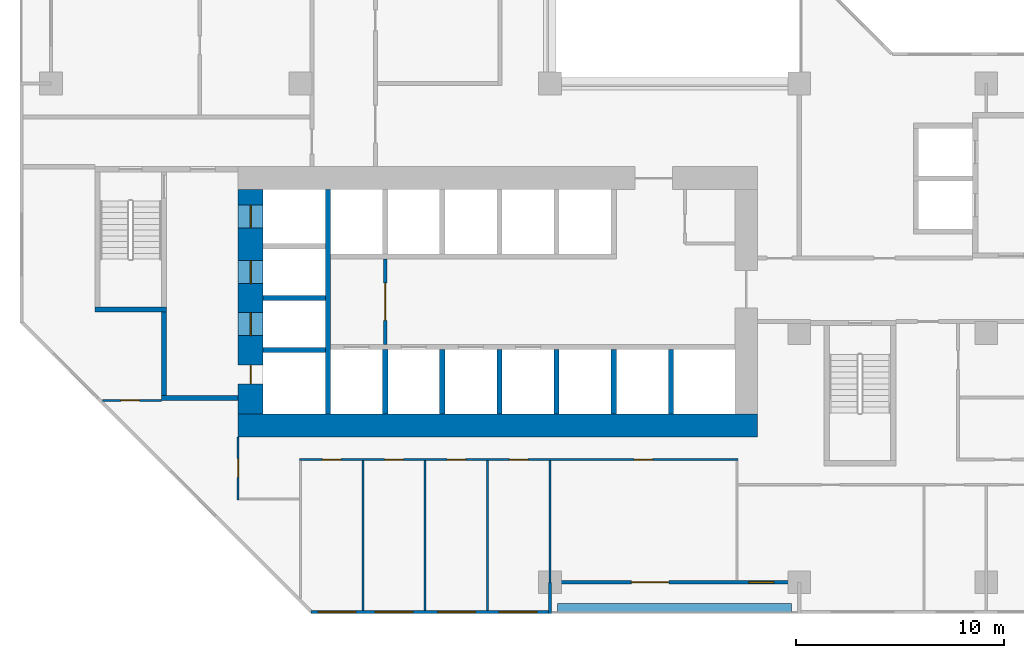
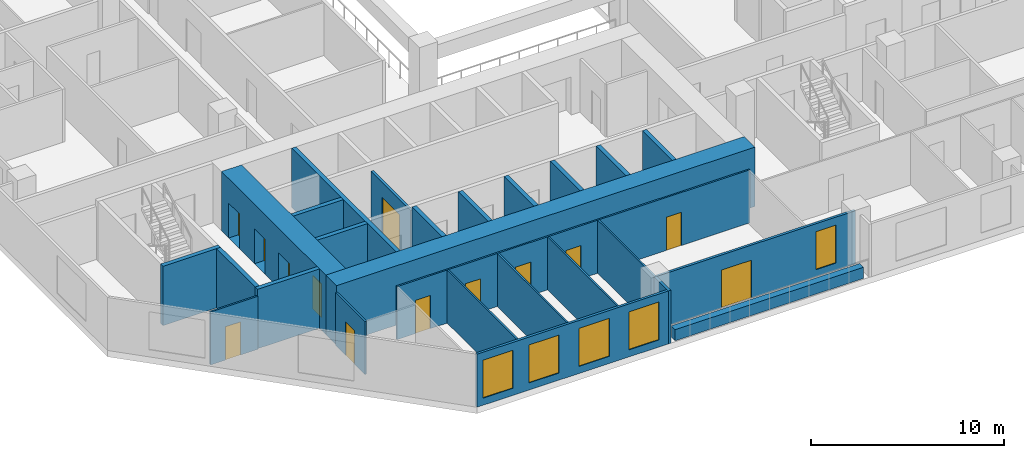
# One storey, part 4 of 15: 26 walls, 13 doors, 5 windows, 18 openings.
"""IFC4 building model written with IfcOpenShell, lengths in metres."""

import ifcopenshell
import ifcopenshell.guid

model = None  # the IFC model being written
_history = None  # IfcOwnerHistory: only IFC2X3 demands one
_inside = {}  # id of a spatial element -> (the spatial element, [elements in it])
_under = {}  # id of a project, library or spatial element -> (it, [spatial elements below it])
_declared = {}  # id of a project -> (the project, [libraries it declares])
_typed = {}  # id of a type object -> (the type object, [elements of that type])
_made_of = {}  # id of a material, layer set ... -> (it, [elements and type objects made of it])


def new_model(schema):
    """Start an empty IFC model of exactly this schema.

    Asked for "IFC4X3", IfcOpenShell would pick the latest addendum, in which some entities
    have other attributes; the version numbers below select the first issue.
    IFC2X3 requires an IfcOwnerHistory on every rooted entity: one is made here for all.
    """
    global model, _history
    if schema == "IFC4X3":
        model = ifcopenshell.file(schema_version=(4, 3, 0, 0))
    else:
        model = ifcopenshell.file(schema=schema)
    _inside.clear()
    _under.clear()
    _declared.clear()
    _typed.clear()
    _made_of.clear()
    _history = None
    if model.schema == "IFC2X3":
        org = make("IfcOrganization", Name="unknown")
        user = make(
            "IfcPersonAndOrganization",
            ThePerson=make("IfcPerson", FamilyName="unknown"),
            TheOrganization=org,
        )
        app = make(
            "IfcApplication",
            ApplicationDeveloper=org,
            Version="unknown",
            ApplicationFullName="unknown",
            ApplicationIdentifier="unknown",
        )
        _history = make(
            "IfcOwnerHistory",
            OwningUser=user,
            OwningApplication=app,
            ChangeAction="ADDED",
            CreationDate=0,
        )
    return model


def make(cls, **values):
    """One entity of the class cls with the attributes given. An attribute that is None is left unset."""
    return model.create_entity(
        cls, **{name: value for name, value in values.items() if value is not None}
    )


def rooted(cls, **values):
    """An entity with a GlobalId (a new one), such as an element, a storey or a relation."""
    return make(cls, GlobalId=ifcopenshell.guid.new(), OwnerHistory=_history, **values)


def si_unit(unit_type, name, prefix=None):
    """IfcSIUnit, for example si_unit("LENGTHUNIT", "METRE", prefix="MILLI")."""
    return make("IfcSIUnit", UnitType=unit_type, Prefix=prefix, Name=name)


def assignment(units):
    """IfcUnitAssignment: the units of a project."""
    return None if units is None else make("IfcUnitAssignment", Units=units)


def point(xyz):
    """IfcCartesianPoint."""
    return None if xyz is None else make("IfcCartesianPoint", Coordinates=xyz)


def direction(xyz):
    """IfcDirection."""
    return None if xyz is None else make("IfcDirection", DirectionRatios=xyz)


def frame(location, z_axis=None, x_axis=None):
    """IfcAxis2Placement3D, a coordinate frame: its origin and axes. An axis left out is left unset."""
    return make(
        "IfcAxis2Placement3D",
        Location=point(location),
        Axis=direction(z_axis),
        RefDirection=direction(x_axis),
    )


def frame_2d(location, x_axis=None):
    """IfcAxis2Placement2D, a coordinate frame in the plane: its origin and x axis."""
    return make(
        "IfcAxis2Placement2D", Location=point(location), RefDirection=direction(x_axis)
    )


def origin():
    """The frame at (0, 0, 0) with its axes left unset."""
    return frame((0.0, 0.0, 0.0))


def place(relative_to, where):
    """IfcLocalPlacement: puts the frame where relative to a parent placement (None: the world)."""
    return make(
        "IfcLocalPlacement", PlacementRelTo=relative_to, RelativePlacement=where
    )


def context(
    kind, dimensions, precision=None, world=None, true_north=None, identifier=None
):
    """IfcGeometricRepresentationContext, for example the 3D "Model" context."""
    return make(
        "IfcGeometricRepresentationContext",
        ContextIdentifier=identifier,
        ContextType=kind,
        CoordinateSpaceDimension=dimensions,
        Precision=precision,
        WorldCoordinateSystem=world,
        TrueNorth=true_north,
    )


def subcontext(parent, identifier, kind, view, scale=None):
    """IfcGeometricRepresentationSubContext, for example "Body" below "Model"."""
    return make(
        "IfcGeometricRepresentationSubContext",
        ContextIdentifier=identifier,
        ContextType=kind,
        ParentContext=parent,
        TargetScale=scale,
        TargetView=view,
    )


def project(units=None, contexts=None):
    """IfcProject with its units and contexts."""
    return rooted(
        "IfcProject",
        Name="project",
        RepresentationContexts=contexts,
        UnitsInContext=assignment(units),
    )


def spatial(cls, under=None, at=None, **own):
    """A site, building, storey or space (cls), placed at a placement, below another one or the project."""
    s = rooted(cls, ObjectPlacement=at, **own)
    if under is not None:
        _under.setdefault(under.id(), (under, []))[1].append(s)
    return s


def profile(cls, at=None, kind="AREA", **sizes):
    """A parametric profile (cls). Its sizes go by their IFC names, for example OverallWidth=200.0."""
    return make(cls, ProfileType=kind, Position=at, **sizes)


def rectangle(**sizes):
    """IfcRectangleProfileDef."""
    return profile("IfcRectangleProfileDef", **sizes)


def extrude(swept, where, along, depth):
    """IfcExtrudedAreaSolid: the profile swept, set in the frame where, extruded along a direction by depth."""
    return make(
        "IfcExtrudedAreaSolid",
        SweptArea=swept,
        Position=where,
        ExtrudedDirection=direction(along),
        Depth=depth,
    )


def shape(context_of_items, identifier, shape_type, items):
    """IfcShapeRepresentation: the items that make up one representation, for example the "Body"."""
    return make(
        "IfcShapeRepresentation",
        ContextOfItems=context_of_items,
        RepresentationIdentifier=identifier,
        RepresentationType=shape_type,
        Items=items,
    )


def material(Name=None, Category=None):
    """IfcMaterial."""
    return make("IfcMaterial", Name=Name, Category=Category)


def layer(
    of_material, thickness, ventilated=None, Name=None, Category=None, Priority=None
):
    """IfcMaterialLayer: one layer of a wall or slab, of a material (None: an air gap)."""
    return make(
        "IfcMaterialLayer",
        Material=of_material,
        LayerThickness=thickness,
        IsVentilated=ventilated,
        Name=Name,
        Category=Category,
        Priority=Priority,
    )


def layer_set(layers, Name=None):
    """IfcMaterialLayerSet."""
    return make("IfcMaterialLayerSet", MaterialLayers=layers, LayerSetName=Name)


def made_of(thing, what):
    """Note that an element or type object is made of a material, layer set ...; save() writes the relation."""
    if what is not None:
        _made_of.setdefault(what.id(), (what, []))[1].append(thing)
    return thing


def type_object(cls, material=None, **own):
    """A type object (cls), such as IfcWallType, which elements share."""
    return made_of(rooted(cls, **own), material)


def element(
    cls,
    number,
    at=None,
    inside=None,
    cuts=None,
    type_object=None,
    material=None,
    context=None,
    identifier="Body",
    shape_type=None,
    held_by="IfcProductDefinitionShape",
    body=None,
    shapes=None,
    **own,
):
    """One element of the class cls, such as IfcWall. Its Tag is "e" and its number.

    at: its placement. inside: the storey or other place that contains it. cuts: it is an
    opening in that element (IfcRelVoidsElement). A single representation is given by context,
    identifier, shape_type and body (its items); several are given by shapes. held_by: the class
    of the entity that holds the representations. save() writes the other relations.
    """
    e = rooted(cls, Tag="e%d" % number, ObjectPlacement=at, **own)
    if body is not None:
        shapes = [shape(context, identifier, shape_type, body)]
    if shapes is not None:
        e.Representation = make(held_by, Representations=shapes)
    if inside is not None:
        _inside.setdefault(inside.id(), (inside, []))[1].append(e)
    if cuts is not None:
        rooted(
            "IfcRelVoidsElement", RelatingBuildingElement=cuts, RelatedOpeningElement=e
        )
    if type_object is not None:
        _typed.setdefault(type_object.id(), (type_object, []))[1].append(e)
    return made_of(e, material)


def fill(opening, filler):
    """IfcRelFillsElement: the door or window that sits in an opening."""
    return rooted(
        "IfcRelFillsElement",
        RelatingOpeningElement=opening,
        RelatedBuildingElement=filler,
    )


def aggregate(whole, parts):
    """IfcRelAggregates: a whole, such as a stair, and the parts it consists of."""
    return rooted("IfcRelAggregates", RelatingObject=whole, RelatedObjects=parts)


def save(model, path):
    """Write the relations noted so far, then the file.

    IfcRelAggregates (storeys below a building ...), IfcRelContainedInSpatialStructure (elements
    in a storey), IfcRelDefinesByType, IfcRelAssociatesMaterial and IfcRelDeclares: one each for
    every whole, place, type object, material and project.
    """
    for whole, parts in _under.values():
        aggregate(whole, parts)
    for where, things in _inside.values():
        rooted(
            "IfcRelContainedInSpatialStructure",
            RelatedElements=things,
            RelatingStructure=where,
        )
    for kind, things in _typed.values():
        rooted("IfcRelDefinesByType", RelatedObjects=things, RelatingType=kind)
    for what, things in _made_of.values():
        rooted("IfcRelAssociatesMaterial", RelatedObjects=things, RelatingMaterial=what)
    for by, libraries in _declared.values():
        rooted("IfcRelDeclares", RelatingContext=by, RelatedDefinitions=libraries)
    model.write(path)


model = new_model("IFC4")

# Units and contexts
model_context = context("Model", 3, precision=1e-05, world=origin(), true_north=direction((0.0, 1.0)))
body_context = subcontext(model_context, "Body", "Model", "MODEL_VIEW")
ifc_project = project(units=[si_unit("LENGTHUNIT", "METRE"), si_unit("AREAUNIT", "SQUARE_METRE"), si_unit("VOLUMEUNIT", "CUBIC_METRE"), si_unit("PLANEANGLEUNIT", "RADIAN"), si_unit("MASSUNIT", "GRAM", prefix="KILO")], contexts=[model_context])

# Site, building, storey
site_placement = place(None, origin())
site = spatial("IfcSite", under=ifc_project, at=site_placement, CompositionType="ELEMENT")
building_placement = place(site_placement, origin())
building = spatial("IfcBuilding", under=site, at=building_placement, Name="Chenar Terraces", CompositionType="ELEMENT")
storey_placement = place(building_placement, frame((0.0, 0.0, 67.64990234375)))
storey = spatial("IfcBuildingStorey", under=building, at=storey_placement, Name="L14", CompositionType="ELEMENT", Elevation=67.64990234375)

# Wall, opening, door
ifc_material_1 = material(Name="Gypsum board on steel studs", Category="steel")
ifc_layer_1 = layer(ifc_material_1, 0.14990234375)
ifc_layer_set_1 = layer_set([ifc_layer_1], Name="Gypsum board on steel studs")
wall_type_1 = type_object("IfcWallType", Name="Core partition 150 gypsum board", PredefinedType="PARTITIONING", material=ifc_layer_set_1)
wall_1_placement = place(storey_placement, frame((16.074951171875, 11.449951171875, 0.0), z_axis=(0.0, 0.0, 1.0), x_axis=(0.0, 1.0, 0.0)))
wall_1 = element("IfcWall", 1, at=wall_1_placement, inside=storey, type_object=wall_type_1, Name="Core partition CP1 lift lobby smoke stop", PredefinedType="PARTITIONING", context=body_context, shape_type="SweptSolid", body=[
    extrude(rectangle(XDim=4.10009765625, YDim=0.14990234375, at=frame_2d((2.050048828125, 0.0))), origin(), (0.0, 0.0, 1.0), 3.35009765625),
])
opening_1_placement = place(wall_1_placement, frame((1.14990234375, 0.0, 0.0)))
opening_1 = element("IfcOpeningElement", 2, at=opening_1_placement, cuts=wall_1, Name="Opening DL14-C12", PredefinedType="OPENING", context=body_context, shape_type="SweptSolid", body=[
    extrude(rectangle(XDim=1.800048828125, YDim=2.39990234375, at=frame_2d((0.89990234375, 1.199951171875))), frame((0.0, 0.0849609375, 0.0), z_axis=(0.0, -1.0, 0.0), x_axis=(1.0, 0.0, 0.0)), (0.0, 0.0, 1.0), 0.169921875),
])
ifc_material_2 = material(Name="Steel-framed fire-resisting door leaf", Category="steel")
door_type_1 = type_object("IfcDoorType", Name="Core entrance double fire door FD60 1800 x 2400", OperationType="DOUBLE_DOOR_SINGLE_SWING", PredefinedType="DOOR", material=ifc_material_2)
door_1_placement = place(opening_1_placement, origin())
door_1 = element("IfcDoor", 3, at=door_1_placement, inside=storey, type_object=door_type_1, Name="Core door DL14-C12", OperationType="DOUBLE_DOOR_SINGLE_SWING", OverallHeight=2.39990234375, OverallWidth=1.800048828125, PredefinedType="DOOR", context=body_context, shape_type="SweptSolid", body=[
    extrude(rectangle(XDim=1.800048828125, YDim=2.39990234375, at=frame_2d((0.89990234375, 1.199951171875))), frame((0.0, 0.02490234375, 0.0), z_axis=(0.0, -1.0, 0.0), x_axis=(1.0, 0.0, 0.0)), (0.0, 0.0, 1.0), 0.050048828125),
])
fill(opening_1, door_1)

# Wall
ifc_material_3 = material(Name="Concrete C70/85", Category="concrete")
ifc_layer_2 = layer(ifc_material_3, 1.10009765625)
ifc_layer_set_2 = layer_set([ifc_layer_2], Name="Concrete C70/85")
wall_type_2 = type_object("IfcWallType", Name="Core wall 1100 Concrete C70/85", PredefinedType="SHEAR", material=ifc_layer_set_2)
wall_2_placement = place(storey_placement, frame((9.0, 7.550048828125, 0.0), z_axis=(0.0, 0.0, 1.0), x_axis=(1.0, 0.0, 0.0)))
element("IfcWall", 4, at=wall_2_placement, inside=storey, type_object=wall_type_2, Name="Core wall S L14", PredefinedType="SHEAR", context=body_context, shape_type="SweptSolid", body=[
    extrude(rectangle(XDim=25.0, YDim=1.10009765625, at=frame_2d((12.5, 0.0))), origin(), (0.0, 0.0, 1.0), 3.75),
])

# Wall, openings, doors
ifc_material_4 = material(Name="Concrete C70/85", Category="concrete")
ifc_layer_3 = layer(ifc_material_4, 1.199951171875)
ifc_layer_set_3 = layer_set([ifc_layer_3], Name="Concrete C70/85")
wall_type_3 = type_object("IfcWallType", Name="Core wall 1200 Concrete C70/85", PredefinedType="SHEAR", material=ifc_layer_set_3)
wall_3_placement = place(storey_placement, frame((9.60009765625, 8.10009765625, 0.0), z_axis=(0.0, 0.0, 1.0), x_axis=(0.0, 1.0, 0.0)))
wall_3 = element("IfcWall", 5, at=wall_3_placement, inside=storey, type_object=wall_type_3, Name="Core wall W L14", PredefinedType="SHEAR", context=body_context, shape_type="SweptSolid", body=[
    extrude(rectangle(XDim=10.7998046875, YDim=1.199951171875, at=frame_2d((5.39990234375, 0.0))), origin(), (0.0, 0.0, 1.0), 3.75),
])
opening_2_placement = place(wall_3_placement, frame((3.77490234375, 0.0, 0.0)))
opening_2 = element("IfcOpeningElement", 6, at=opening_2_placement, cuts=wall_3, Name="Opening DL14-LD5", PredefinedType="OPENING", context=body_context, shape_type="SweptSolid", body=[
    extrude(rectangle(XDim=1.10009765625, YDim=2.199951171875, at=frame_2d((0.550048828125, 1.10009765625))), frame((0.0, 0.60986328125, 0.0), z_axis=(0.0, -1.0, 0.0), x_axis=(1.0, 0.0, 0.0)), (0.0, 0.0, 1.0), 1.219970703125),
])
opening_3_placement = place(wall_3_placement, frame((6.27490234375, 0.0, 0.0)))
opening_3 = element("IfcOpeningElement", 7, at=opening_3_placement, cuts=wall_3, Name="Opening DL14-LD6", PredefinedType="OPENING", context=body_context, shape_type="SweptSolid", body=[
    extrude(rectangle(XDim=1.10009765625, YDim=2.199951171875, at=frame_2d((0.550048828125, 1.10009765625))), frame((0.0, 0.60986328125, 0.0), z_axis=(0.0, -1.0, 0.0), x_axis=(1.0, 0.0, 0.0)), (0.0, 0.0, 1.0), 1.219970703125),
])
opening_4_placement = place(wall_3_placement, frame((8.949951171875, 0.0, 0.0)))
opening_4 = element("IfcOpeningElement", 8, at=opening_4_placement, cuts=wall_3, Name="Opening DL14-LD7", PredefinedType="OPENING", context=body_context, shape_type="SweptSolid", body=[
    extrude(rectangle(XDim=1.10009765625, YDim=2.199951171875, at=frame_2d((0.550048828125, 1.10009765625))), frame((0.0, 0.60986328125, 0.0), z_axis=(0.0, -1.0, 0.0), x_axis=(1.0, 0.0, 0.0)), (0.0, 0.0, 1.0), 1.219970703125),
])
opening_5_placement = place(wall_3_placement, frame((1.449951171875, 0.0, 0.0)))
opening_5 = element("IfcOpeningElement", 9, at=opening_5_placement, cuts=wall_3, Name="Opening DL14-C4", PredefinedType="OPENING", context=body_context, shape_type="SweptSolid", body=[
    extrude(rectangle(XDim=0.89990234375, YDim=2.10009765625, at=frame_2d((0.449951171875, 1.050048828125))), frame((0.0, 0.60986328125, 0.0), z_axis=(0.0, -1.0, 0.0), x_axis=(1.0, 0.0, 0.0)), (0.0, 0.0, 1.0), 1.219970703125),
])
ifc_material_5 = material(Name="Stainless steel", Category="steel")
door_type_2 = type_object("IfcDoorType", Name="Lift landing door 1100 x 2200 sliding", OperationType="DOUBLE_DOOR_SLIDING", PredefinedType="DOOR", material=ifc_material_5)
door_2_placement = place(opening_2_placement, origin())
door_2 = element("IfcDoor", 10, at=door_2_placement, inside=storey, type_object=door_type_2, Name="Landing door S1", OperationType="DOUBLE_DOOR_SLIDING", OverallHeight=2.199951171875, OverallWidth=1.10009765625, PredefinedType="DOOR", context=body_context, shape_type="SweptSolid", body=[
    extrude(rectangle(XDim=1.10009765625, YDim=2.199951171875, at=frame_2d((0.550048828125, 1.10009765625))), frame((0.0, 0.02490234375, 0.0), z_axis=(0.0, -1.0, 0.0), x_axis=(1.0, 0.0, 0.0)), (0.0, 0.0, 1.0), 0.050048828125),
])
fill(opening_2, door_2)
door_3_placement = place(opening_3_placement, origin())
door_3 = element("IfcDoor", 11, at=door_3_placement, inside=storey, type_object=door_type_2, Name="Landing door F1", OperationType="DOUBLE_DOOR_SLIDING", OverallHeight=2.199951171875, OverallWidth=1.10009765625, PredefinedType="DOOR", context=body_context, shape_type="SweptSolid", body=[
    extrude(rectangle(XDim=1.10009765625, YDim=2.199951171875, at=frame_2d((0.550048828125, 1.10009765625))), frame((0.0, 0.02490234375, 0.0), z_axis=(0.0, -1.0, 0.0), x_axis=(1.0, 0.0, 0.0)), (0.0, 0.0, 1.0), 0.050048828125),
])
fill(opening_3, door_3)
door_4_placement = place(opening_4_placement, origin())
door_4 = element("IfcDoor", 12, at=door_4_placement, inside=storey, type_object=door_type_2, Name="Landing door F2", OperationType="DOUBLE_DOOR_SLIDING", OverallHeight=2.199951171875, OverallWidth=1.10009765625, PredefinedType="DOOR", context=body_context, shape_type="SweptSolid", body=[
    extrude(rectangle(XDim=1.10009765625, YDim=2.199951171875, at=frame_2d((0.550048828125, 1.10009765625))), frame((0.0, 0.02490234375, 0.0), z_axis=(0.0, -1.0, 0.0), x_axis=(1.0, 0.0, 0.0)), (0.0, 0.0, 1.0), 0.050048828125),
])
fill(opening_4, door_4)
ifc_material_6 = material(Name="Steel-framed fire-resisting door leaf", Category="steel")
door_type_3 = type_object("IfcDoorType", Name="Riser fire door FD60 900 x 2100", OperationType="SINGLE_SWING_LEFT", PredefinedType="DOOR", material=ifc_material_6)
door_5_placement = place(opening_5_placement, frame((0.89990234375, 0.0, 0.0), z_axis=(0.0, 0.0, 1.0), x_axis=(-1.0, 0.0, 0.0)))
door_5 = element("IfcDoor", 13, at=door_5_placement, inside=storey, type_object=door_type_3, Name="Riser door DL14-C4", OperationType="SINGLE_SWING_RIGHT", OverallHeight=2.10009765625, OverallWidth=0.89990234375, PredefinedType="DOOR", context=body_context, shape_type="SweptSolid", body=[
    extrude(rectangle(XDim=0.89990234375, YDim=2.10009765625, at=frame_2d((0.449951171875, 1.050048828125))), frame((0.0, 0.02490234375, 0.0), z_axis=(0.0, -1.0, 0.0), x_axis=(1.0, 0.0, 0.0)), (0.0, 0.0, 1.0), 0.050048828125),
])
fill(opening_5, door_5)

# Walls
ifc_material_7 = material(Name="Concrete C70/85", Category="concrete")
ifc_layer_4 = layer(ifc_material_7, 0.25)
ifc_layer_set_4 = layer_set([ifc_layer_4], Name="Concrete C70/85")
wall_type_4 = type_object("IfcWallType", Name="Core wall 250 Concrete C70/85", PredefinedType="SHEAR", material=ifc_layer_set_4)
wall_4_placement = place(storey_placement, frame((13.324951171875, 8.10009765625, 0.0), z_axis=(0.0, 0.0, 1.0), x_axis=(0.0, 1.0, 0.0)))
element("IfcWall", 14, at=wall_4_placement, inside=storey, type_object=wall_type_4, Name="Core wall WI L14", PredefinedType="SHEAR", context=body_context, shape_type="SweptSolid", body=[
    extrude(rectangle(XDim=10.7998046875, YDim=0.25, at=frame_2d((5.39990234375, 0.0))), origin(), (0.0, 0.0, 1.0), 3.75),
])
for number, where, z_axis, x_axis, name in (
    (15, (10.199951171875, 11.175048828125, 0.0), (0.0, 0.0, 1.0), (1.0, 0.0, 0.0), "Core wall HW0 L14"),
    (16, (10.199951171875, 13.675048828125, 0.0), (0.0, 0.0, 1.0), (1.0, 0.0, 0.0), "Core wall HW1 L14"),
):
    element("IfcWall", number, at=place(storey_placement, frame(where, z_axis=z_axis, x_axis=x_axis)), inside=storey, type_object=wall_type_4, Name=name, PredefinedType="SHEAR", context=body_context, shape_type="SweptSolid", body=[
        extrude(rectangle(XDim=3.0, YDim=0.25, at=frame_2d((1.5, 0.0))), origin(), (0.0, 0.0, 1.0), 3.75),
    ])
for number, where, z_axis, x_axis, name in (
    (17, (16.074951171875, 8.10009765625, 0.0), (0.0, 0.0, 1.0), (0.0, 1.0, 0.0), "Core wall SS0 L14"),
    (18, (18.824951171875, 8.10009765625, 0.0), (0.0, 0.0, 1.0), (0.0, 1.0, 0.0), "Core wall SS1 L14"),
    (19, (21.574951171875, 8.10009765625, 0.0), (0.0, 0.0, 1.0), (0.0, 1.0, 0.0), "Core wall SS2 L14"),
    (20, (24.324951171875, 8.10009765625, 0.0), (0.0, 0.0, 1.0), (0.0, 1.0, 0.0), "Core wall SS3 L14"),
    (21, (27.074951171875, 8.10009765625, 0.0), (0.0, 0.0, 1.0), (0.0, 1.0, 0.0), "Core wall SS4 L14"),
    (22, (29.824951171875, 8.10009765625, 0.0), (0.0, 0.0, 1.0), (0.0, 1.0, 0.0), "Core wall SS5 L14"),
):
    element("IfcWall", number, at=place(storey_placement, frame(where, z_axis=z_axis, x_axis=x_axis)), inside=storey, type_object=wall_type_4, Name=name, PredefinedType="SHEAR", context=body_context, shape_type="SweptSolid", body=[
        extrude(rectangle(XDim=3.099853515625, YDim=0.25, at=frame_2d((1.5498046875, 0.0))), origin(), (0.0, 0.0, 1.0), 3.75),
    ])
wall_5_placement = place(storey_placement, frame((2.10009765625, 13.125, 0.0), z_axis=(0.0, 0.0, 1.0), x_axis=(1.0, 0.0, 0.0)))
element("IfcWall", 23, at=wall_5_placement, inside=storey, type_object=wall_type_4, Name="Core wall ST1_S L14", PredefinedType="SHEAR", context=body_context, shape_type="SweptSolid", body=[
    extrude(rectangle(XDim=3.449951171875, YDim=0.25, at=frame_2d((1.72509765625, 0.0))), origin(), (0.0, 0.0, 1.0), 3.75),
])
wall_6_placement = place(storey_placement, frame((5.300048828125, 8.875, 0.0), z_axis=(0.0, 0.0, 1.0), x_axis=(1.0, 0.0, 0.0)))
element("IfcWall", 24, at=wall_6_placement, inside=storey, type_object=wall_type_4, Name="Core wall FFL_S L14", PredefinedType="SHEAR", context=body_context, shape_type="SweptSolid", body=[
    extrude(rectangle(XDim=3.699951171875, YDim=0.25, at=frame_2d((1.85009765625, 0.0))), origin(), (0.0, 0.0, 1.0), 3.75),
])
wall_7_placement = place(storey_placement, frame((5.425048828125, 9.0, 0.0), z_axis=(0.0, 0.0, 1.0), x_axis=(0.0, 1.0, 0.0)))
element("IfcWall", 25, at=wall_7_placement, inside=storey, type_object=wall_type_4, Name="Core wall FFL_W L14", PredefinedType="SHEAR", context=body_context, shape_type="SweptSolid", body=[
    extrude(rectangle(XDim=4.0, YDim=0.25, at=frame_2d((2.0, 0.0))), origin(), (0.0, 0.0, 1.0), 3.75),
])

# Wall, openings, windows
ifc_material_8 = material(Name="Aluminium framed glazing", Category="aluminium")
ifc_layer_5 = layer(ifc_material_8, 0.14990234375)
ifc_layer_set_5 = layer_set([ifc_layer_5], Name="Aluminium framed glazing")
wall_type_5 = type_object("IfcWallType", Name="Glazed flush facade wall 150", PredefinedType="SOLIDWALL", material=ifc_layer_set_5)
wall_8_placement = place(storey_placement, frame((12.5, -1.425048828125, 0.0), z_axis=(0.0, 0.0, 1.0), x_axis=(1.0, 0.0, 0.0)))
wall_8 = element("IfcWall", 26, at=wall_8_placement, inside=storey, type_object=wall_type_5, Name="Glazed flush facade wall", PredefinedType="SOLIDWALL", context=body_context, shape_type="SweptSolid", body=[
    extrude(rectangle(XDim=11.425048828125, YDim=0.14990234375, at=frame_2d((5.71240234375, 0.0))), origin(), (0.0, 0.0, 1.0), 3.35009765625),
])
opening_6_placement = place(wall_8_placement, frame((0.35009765625, 0.0, 0.449951171875)))
opening_6 = element("IfcOpeningElement", 27, at=opening_6_placement, cuts=wall_8, Name="Opening W180x240", PredefinedType="OPENING", context=body_context, shape_type="SweptSolid", body=[
    extrude(rectangle(XDim=1.800048828125, YDim=2.39990234375, at=frame_2d((0.89990234375, 1.199951171875))), frame((0.0, 0.0849609375, 0.0), z_axis=(0.0, -1.0, 0.0), x_axis=(1.0, 0.0, 0.0)), (0.0, 0.0, 1.0), 0.169921875),
])
opening_7_placement = place(wall_8_placement, frame((3.10009765625, 0.0, 0.449951171875)))
opening_7 = element("IfcOpeningElement", 28, at=opening_7_placement, cuts=wall_8, Name="Opening W180x240", PredefinedType="OPENING", context=body_context, shape_type="SweptSolid", body=[
    extrude(rectangle(XDim=1.800048828125, YDim=2.39990234375, at=frame_2d((0.89990234375, 1.199951171875))), frame((0.0, 0.0849609375, 0.0), z_axis=(0.0, -1.0, 0.0), x_axis=(1.0, 0.0, 0.0)), (0.0, 0.0, 1.0), 0.169921875),
])
opening_8_placement = place(wall_8_placement, frame((6.10009765625, 0.0, 0.449951171875)))
opening_8 = element("IfcOpeningElement", 29, at=opening_8_placement, cuts=wall_8, Name="Opening W180x240", PredefinedType="OPENING", context=body_context, shape_type="SweptSolid", body=[
    extrude(rectangle(XDim=1.800048828125, YDim=2.39990234375, at=frame_2d((0.89990234375, 1.199951171875))), frame((0.0, 0.0849609375, 0.0), z_axis=(0.0, -1.0, 0.0), x_axis=(1.0, 0.0, 0.0)), (0.0, 0.0, 1.0), 0.169921875),
])
opening_9_placement = place(wall_8_placement, frame((9.0625, 0.0, 0.449951171875)))
opening_9 = element("IfcOpeningElement", 30, at=opening_9_placement, cuts=wall_8, Name="Opening W180x240", PredefinedType="OPENING", context=body_context, shape_type="SweptSolid", body=[
    extrude(rectangle(XDim=1.800048828125, YDim=2.39990234375, at=frame_2d((0.89990234375, 1.199951171875))), frame((0.0, 0.0849609375, 0.0), z_axis=(0.0, -1.0, 0.0), x_axis=(1.0, 0.0, 0.0)), (0.0, 0.0, 1.0), 0.169921875),
])
ifc_material_9 = material(Name="Low emissivity double glazing, aluminium frame", Category="aluminium")
window_type_1 = type_object("IfcWindowType", Name="Fixed light 1800 x 2400", PartitioningType="SINGLE_PANEL", PredefinedType="WINDOW", material=ifc_material_9)
window_1_placement = place(opening_6_placement, origin())
window_1 = element("IfcWindow", 31, at=window_1_placement, inside=storey, type_object=window_type_1, Name="Window", OverallHeight=2.39990234375, OverallWidth=1.800048828125, PartitioningType="SINGLE_PANEL", PredefinedType="WINDOW", context=body_context, shape_type="SweptSolid", body=[
    extrude(rectangle(XDim=1.800048828125, YDim=2.39990234375, at=frame_2d((0.89990234375, 1.199951171875))), frame((0.0, 0.030029296875, 0.0), z_axis=(0.0, -1.0, 0.0), x_axis=(1.0, 0.0, 0.0)), (0.0, 0.0, 1.0), 0.06005859375),
])
fill(opening_6, window_1)
window_2_placement = place(opening_7_placement, origin())
window_2 = element("IfcWindow", 32, at=window_2_placement, inside=storey, type_object=window_type_1, Name="Window", OverallHeight=2.39990234375, OverallWidth=1.800048828125, PartitioningType="SINGLE_PANEL", PredefinedType="WINDOW", context=body_context, shape_type="SweptSolid", body=[
    extrude(rectangle(XDim=1.800048828125, YDim=2.39990234375, at=frame_2d((0.89990234375, 1.199951171875))), frame((0.0, 0.030029296875, 0.0), z_axis=(0.0, -1.0, 0.0), x_axis=(1.0, 0.0, 0.0)), (0.0, 0.0, 1.0), 0.06005859375),
])
fill(opening_7, window_2)
window_3_placement = place(opening_8_placement, origin())
window_3 = element("IfcWindow", 33, at=window_3_placement, inside=storey, type_object=window_type_1, Name="Window", OverallHeight=2.39990234375, OverallWidth=1.800048828125, PartitioningType="SINGLE_PANEL", PredefinedType="WINDOW", context=body_context, shape_type="SweptSolid", body=[
    extrude(rectangle(XDim=1.800048828125, YDim=2.39990234375, at=frame_2d((0.89990234375, 1.199951171875))), frame((0.0, 0.030029296875, 0.0), z_axis=(0.0, -1.0, 0.0), x_axis=(1.0, 0.0, 0.0)), (0.0, 0.0, 1.0), 0.06005859375),
])
fill(opening_8, window_3)
window_4_placement = place(opening_9_placement, origin())
window_4 = element("IfcWindow", 34, at=window_4_placement, inside=storey, type_object=window_type_1, Name="Window", OverallHeight=2.39990234375, OverallWidth=1.800048828125, PartitioningType="SINGLE_PANEL", PredefinedType="WINDOW", context=body_context, shape_type="SweptSolid", body=[
    extrude(rectangle(XDim=1.800048828125, YDim=2.39990234375, at=frame_2d((0.89990234375, 1.199951171875))), frame((0.0, 0.030029296875, 0.0), z_axis=(0.0, -1.0, 0.0), x_axis=(1.0, 0.0, 0.0)), (0.0, 0.0, 1.0), 0.06005859375),
])
fill(opening_9, window_4)

# Wall, openings, window, door
ifc_material_10 = material(Name="Aluminium framed glazing", Category="aluminium")
ifc_layer_6 = layer(ifc_material_10, 0.14990234375)
ifc_layer_set_6 = layer_set([ifc_layer_6], Name="Aluminium framed glazing")
wall_type_6 = type_object("IfcWallType", Name="Glazed loggia back wall 150", PredefinedType="SOLIDWALL", material=ifc_layer_set_6)
wall_9_placement = place(storey_placement, frame((24.074951171875, 0.0, 0.0), z_axis=(0.0, 0.0, 1.0), x_axis=(1.0, 0.0, 0.0)))
wall_9 = element("IfcWall", 35, at=wall_9_placement, inside=storey, type_object=wall_type_6, Name="Glazed loggia back wall", PredefinedType="SOLIDWALL", context=body_context, shape_type="SweptSolid", body=[
    extrude(rectangle(XDim=11.85009765625, YDim=0.14990234375, at=frame_2d((5.925048828125, 0.0))), origin(), (0.0, 0.0, 1.0), 3.35009765625),
])
opening_10_placement = place(wall_9_placement, frame((3.85009765625, 0.0, 0.0)))
opening_10 = element("IfcOpeningElement", 36, at=opening_10_placement, cuts=wall_9, Name="Opening DL14-G5", PredefinedType="OPENING", context=body_context, shape_type="SweptSolid", body=[
    extrude(rectangle(XDim=1.800048828125, YDim=2.39990234375, at=frame_2d((0.89990234375, 1.199951171875))), frame((0.0, 0.0849609375, 0.0), z_axis=(0.0, -1.0, 0.0), x_axis=(1.0, 0.0, 0.0)), (0.0, 0.0, 1.0), 0.169921875),
])
opening_11_placement = place(wall_9_placement, frame((9.5, 0.0, 0.449951171875)))
opening_11 = element("IfcOpeningElement", 37, at=opening_11_placement, cuts=wall_9, Name="Opening W120x240", PredefinedType="OPENING", context=body_context, shape_type="SweptSolid", body=[
    extrude(rectangle(XDim=1.199951171875, YDim=2.39990234375, at=frame_2d((0.60009765625, 1.199951171875))), frame((0.0, 0.0849609375, 0.0), z_axis=(0.0, -1.0, 0.0), x_axis=(1.0, 0.0, 0.0)), (0.0, 0.0, 1.0), 0.169921875),
])
ifc_material_11 = material(Name="Low emissivity double glazing, aluminium frame", Category="aluminium")
window_type_2 = type_object("IfcWindowType", Name="Fixed light 1200 x 2400", PartitioningType="SINGLE_PANEL", PredefinedType="WINDOW", material=ifc_material_11)
window_5_placement = place(opening_11_placement, origin())
window_5 = element("IfcWindow", 38, at=window_5_placement, inside=storey, type_object=window_type_2, Name="Window", OverallHeight=2.39990234375, OverallWidth=1.199951171875, PartitioningType="SINGLE_PANEL", PredefinedType="WINDOW", context=body_context, shape_type="SweptSolid", body=[
    extrude(rectangle(XDim=1.199951171875, YDim=2.39990234375, at=frame_2d((0.60009765625, 1.199951171875))), frame((0.0, 0.030029296875, 0.0), z_axis=(0.0, -1.0, 0.0), x_axis=(1.0, 0.0, 0.0)), (0.0, 0.0, 1.0), 0.06005859375),
])
fill(opening_11, window_5)
ifc_material_12 = material(Name="Low emissivity double glazing, aluminium frame", Category="aluminium")
door_type_4 = type_object("IfcDoorType", Name="Loggia glazed double door 1800 x 2400", OperationType="DOUBLE_DOOR_SINGLE_SWING", PredefinedType="DOOR", material=ifc_material_12)
door_6_placement = place(opening_10_placement, frame((1.800048828125, 0.0, 0.0), z_axis=(0.0, 0.0, 1.0), x_axis=(-1.0, 0.0, 0.0)))
door_6 = element("IfcDoor", 39, at=door_6_placement, inside=storey, type_object=door_type_4, Name="Loggia glazed door", OperationType="DOUBLE_DOOR_SINGLE_SWING", OverallHeight=2.39990234375, OverallWidth=1.800048828125, PredefinedType="DOOR", context=body_context, shape_type="SweptSolid", body=[
    extrude(rectangle(XDim=1.800048828125, YDim=2.39990234375, at=frame_2d((0.89990234375, 1.199951171875))), frame((0.0, 0.02490234375, 0.0), z_axis=(0.0, -1.0, 0.0), x_axis=(1.0, 0.0, 0.0)), (0.0, 0.0, 1.0), 0.050048828125),
])
fill(opening_10, door_6)

# Wall, opening, door
ifc_material_13 = material(Name="Gypsum board on steel studs", Category="steel")
ifc_layer_7 = layer(ifc_material_13, 0.10009765625)
ifc_layer_set_7 = layer_set([ifc_layer_7], Name="Gypsum board on steel studs")
wall_type_7 = type_object("IfcWallType", Name="Gypsum partition 100", PredefinedType="PARTITIONING", material=ifc_layer_set_7)
wall_10_placement = place(storey_placement, frame((2.4609375, 8.75, 0.0), z_axis=(0.0, 0.0, 1.0), x_axis=(1.0, 0.0, 0.0)))
wall_10 = element("IfcWall", 40, at=wall_10_placement, inside=storey, type_object=wall_type_7, Name="Partition L14-012", PredefinedType="PARTITIONING", context=body_context, shape_type="SweptSolid", body=[
    extrude(rectangle(XDim=2.839111328125, YDim=0.10009765625, at=frame_2d((1.41943359375, 0.0))), origin(), (0.0, 0.0, 1.0), 3.35009765625),
])
opening_12_placement = place(wall_10_placement, frame((0.888916015625, 0.0, 0.0)))
opening_12 = element("IfcOpeningElement", 41, at=opening_12_placement, cuts=wall_10, Name="Opening DL14-58", PredefinedType="OPENING", context=body_context, shape_type="SweptSolid", body=[
    extrude(rectangle(XDim=0.89990234375, YDim=2.10009765625, at=frame_2d((0.449951171875, 1.050048828125))), frame((0.0, 0.06005859375, 0.0), z_axis=(0.0, -1.0, 0.0), x_axis=(1.0, 0.0, 0.0)), (0.0, 0.0, 1.0), 0.1201171875),
])
ifc_material_14 = material(Name="Veneered timber door leaf", Category="wood")
door_type_5 = type_object("IfcDoorType", Name="Door 900 x 2100", OperationType="SINGLE_SWING_LEFT", PredefinedType="DOOR", material=ifc_material_14)
door_7_placement = place(opening_12_placement, frame((0.89990234375, 0.0, 0.0), z_axis=(0.0, 0.0, 1.0), x_axis=(-1.0, 0.0, 0.0)))
door_7 = element("IfcDoor", 42, at=door_7_placement, inside=storey, type_object=door_type_5, Name="Door DL14-58", OperationType="SINGLE_SWING_RIGHT", OverallHeight=2.10009765625, OverallWidth=0.89990234375, PredefinedType="DOOR", context=body_context, shape_type="SweptSolid", body=[
    extrude(rectangle(XDim=0.89990234375, YDim=2.10009765625, at=frame_2d((0.449951171875, 1.050048828125))), frame((0.0, 0.02490234375, 0.0), z_axis=(0.0, -1.0, 0.0), x_axis=(1.0, 0.0, 0.0)), (0.0, 0.0, 1.0), 0.050048828125),
])
fill(opening_12, door_7)

wall_11_placement = place(storey_placement, frame((9.0, 3.949951171875, 0.0), z_axis=(0.0, 0.0, 1.0), x_axis=(0.0, 1.0, 0.0)))
wall_11 = element("IfcWall", 43, at=wall_11_placement, inside=storey, type_object=wall_type_7, Name="Partition L14-027", PredefinedType="PARTITIONING", context=body_context, shape_type="SweptSolid", body=[
    extrude(rectangle(XDim=3.050048828125, YDim=0.10009765625, at=frame_2d((1.52490234375, 0.0))), origin(), (0.0, 0.0, 1.0), 3.35009765625),
])
opening_13_placement = place(wall_11_placement, frame((1.10009765625, 0.0, 0.0)))
opening_13 = element("IfcOpeningElement", 44, at=opening_13_placement, cuts=wall_11, Name="Opening DL14-57", PredefinedType="OPENING", context=body_context, shape_type="SweptSolid", body=[
    extrude(rectangle(XDim=0.89990234375, YDim=2.10009765625, at=frame_2d((0.449951171875, 1.050048828125))), frame((0.0, 0.06005859375, 0.0), z_axis=(0.0, -1.0, 0.0), x_axis=(1.0, 0.0, 0.0)), (0.0, 0.0, 1.0), 0.1201171875),
])
door_8_placement = place(opening_13_placement, origin())
door_8 = element("IfcDoor", 45, at=door_8_placement, inside=storey, type_object=door_type_5, Name="Door DL14-57", OperationType="SINGLE_SWING_LEFT", OverallHeight=2.10009765625, OverallWidth=0.89990234375, PredefinedType="DOOR", context=body_context, shape_type="SweptSolid", body=[
    extrude(rectangle(XDim=0.89990234375, YDim=2.10009765625, at=frame_2d((0.449951171875, 1.050048828125))), frame((0.0, 0.02490234375, 0.0), z_axis=(0.0, -1.0, 0.0), x_axis=(1.0, 0.0, 0.0)), (0.0, 0.0, 1.0), 0.050048828125),
])
fill(opening_13, door_8)

# Wall, openings, doors
wall_12_placement = place(storey_placement, frame((11.949951171875, 5.89990234375, 0.0), z_axis=(0.0, 0.0, 1.0), x_axis=(1.0, 0.0, 0.0)))
wall_12 = element("IfcWall", 46, at=wall_12_placement, inside=storey, type_object=wall_type_7, Name="Partition L14-029", PredefinedType="PARTITIONING", context=body_context, shape_type="SweptSolid", body=[
    extrude(rectangle(XDim=21.10009765625, YDim=0.10009765625, at=frame_2d((10.550048828125, 0.0))), origin(), (0.0, 0.0, 1.0), 3.35009765625),
])
opening_14_placement = place(wall_12_placement, frame((1.10009765625, 0.0, 0.0)))
opening_14 = element("IfcOpeningElement", 47, at=opening_14_placement, cuts=wall_12, Name="Opening DL14-49", PredefinedType="OPENING", context=body_context, shape_type="SweptSolid", body=[
    extrude(rectangle(XDim=0.89990234375, YDim=2.10009765625, at=frame_2d((0.449951171875, 1.050048828125))), frame((0.0, 0.06005859375, 0.0), z_axis=(0.0, -1.0, 0.0), x_axis=(1.0, 0.0, 0.0)), (0.0, 0.0, 1.0), 0.1201171875),
])
opening_15_placement = place(wall_12_placement, frame((4.10009765625, 0.0, 0.0)))
opening_15 = element("IfcOpeningElement", 48, at=opening_15_placement, cuts=wall_12, Name="Opening DL14-50", PredefinedType="OPENING", context=body_context, shape_type="SweptSolid", body=[
    extrude(rectangle(XDim=0.89990234375, YDim=2.10009765625, at=frame_2d((0.449951171875, 1.050048828125))), frame((0.0, 0.06005859375, 0.0), z_axis=(0.0, -1.0, 0.0), x_axis=(1.0, 0.0, 0.0)), (0.0, 0.0, 1.0), 0.1201171875),
])
opening_16_placement = place(wall_12_placement, frame((7.10009765625, 0.0, 0.0)))
opening_16 = element("IfcOpeningElement", 49, at=opening_16_placement, cuts=wall_12, Name="Opening DL14-51", PredefinedType="OPENING", context=body_context, shape_type="SweptSolid", body=[
    extrude(rectangle(XDim=0.89990234375, YDim=2.10009765625, at=frame_2d((0.449951171875, 1.050048828125))), frame((0.0, 0.06005859375, 0.0), z_axis=(0.0, -1.0, 0.0), x_axis=(1.0, 0.0, 0.0)), (0.0, 0.0, 1.0), 0.1201171875),
])
opening_17_placement = place(wall_12_placement, frame((10.10009765625, 0.0, 0.0)))
opening_17 = element("IfcOpeningElement", 50, at=opening_17_placement, cuts=wall_12, Name="Opening DL14-52", PredefinedType="OPENING", context=body_context, shape_type="SweptSolid", body=[
    extrude(rectangle(XDim=0.89990234375, YDim=2.10009765625, at=frame_2d((0.449951171875, 1.050048828125))), frame((0.0, 0.06005859375, 0.0), z_axis=(0.0, -1.0, 0.0), x_axis=(1.0, 0.0, 0.0)), (0.0, 0.0, 1.0), 0.1201171875),
])
opening_18_placement = place(wall_12_placement, frame((16.10009765625, 0.0, 0.0)))
opening_18 = element("IfcOpeningElement", 51, at=opening_18_placement, cuts=wall_12, Name="Opening DL14-62", PredefinedType="OPENING", context=body_context, shape_type="SweptSolid", body=[
    extrude(rectangle(XDim=0.89990234375, YDim=2.10009765625, at=frame_2d((0.449951171875, 1.050048828125))), frame((0.0, 0.06005859375, 0.0), z_axis=(0.0, -1.0, 0.0), x_axis=(1.0, 0.0, 0.0)), (0.0, 0.0, 1.0), 0.1201171875),
])
door_9_placement = place(opening_14_placement, frame((0.89990234375, 0.0, 0.0), z_axis=(0.0, 0.0, 1.0), x_axis=(-1.0, 0.0, 0.0)))
door_9 = element("IfcDoor", 52, at=door_9_placement, inside=storey, type_object=door_type_5, Name="Door DL14-49", OperationType="SINGLE_SWING_RIGHT", OverallHeight=2.10009765625, OverallWidth=0.89990234375, PredefinedType="DOOR", context=body_context, shape_type="SweptSolid", body=[
    extrude(rectangle(XDim=0.89990234375, YDim=2.10009765625, at=frame_2d((0.449951171875, 1.050048828125))), frame((0.0, 0.02490234375, 0.0), z_axis=(0.0, -1.0, 0.0), x_axis=(1.0, 0.0, 0.0)), (0.0, 0.0, 1.0), 0.050048828125),
])
fill(opening_14, door_9)
door_10_placement = place(opening_15_placement, frame((0.89990234375, 0.0, 0.0), z_axis=(0.0, 0.0, 1.0), x_axis=(-1.0, 0.0, 0.0)))
door_10 = element("IfcDoor", 53, at=door_10_placement, inside=storey, type_object=door_type_5, Name="Door DL14-50", OperationType="SINGLE_SWING_RIGHT", OverallHeight=2.10009765625, OverallWidth=0.89990234375, PredefinedType="DOOR", context=body_context, shape_type="SweptSolid", body=[
    extrude(rectangle(XDim=0.89990234375, YDim=2.10009765625, at=frame_2d((0.449951171875, 1.050048828125))), frame((0.0, 0.02490234375, 0.0), z_axis=(0.0, -1.0, 0.0), x_axis=(1.0, 0.0, 0.0)), (0.0, 0.0, 1.0), 0.050048828125),
])
fill(opening_15, door_10)
door_11_placement = place(opening_16_placement, frame((0.89990234375, 0.0, 0.0), z_axis=(0.0, 0.0, 1.0), x_axis=(-1.0, 0.0, 0.0)))
door_11 = element("IfcDoor", 54, at=door_11_placement, inside=storey, type_object=door_type_5, Name="Door DL14-51", OperationType="SINGLE_SWING_RIGHT", OverallHeight=2.10009765625, OverallWidth=0.89990234375, PredefinedType="DOOR", context=body_context, shape_type="SweptSolid", body=[
    extrude(rectangle(XDim=0.89990234375, YDim=2.10009765625, at=frame_2d((0.449951171875, 1.050048828125))), frame((0.0, 0.02490234375, 0.0), z_axis=(0.0, -1.0, 0.0), x_axis=(1.0, 0.0, 0.0)), (0.0, 0.0, 1.0), 0.050048828125),
])
fill(opening_16, door_11)
door_12_placement = place(opening_17_placement, frame((0.89990234375, 0.0, 0.0), z_axis=(0.0, 0.0, 1.0), x_axis=(-1.0, 0.0, 0.0)))
door_12 = element("IfcDoor", 55, at=door_12_placement, inside=storey, type_object=door_type_5, Name="Door DL14-52", OperationType="SINGLE_SWING_RIGHT", OverallHeight=2.10009765625, OverallWidth=0.89990234375, PredefinedType="DOOR", context=body_context, shape_type="SweptSolid", body=[
    extrude(rectangle(XDim=0.89990234375, YDim=2.10009765625, at=frame_2d((0.449951171875, 1.050048828125))), frame((0.0, 0.02490234375, 0.0), z_axis=(0.0, -1.0, 0.0), x_axis=(1.0, 0.0, 0.0)), (0.0, 0.0, 1.0), 0.050048828125),
])
fill(opening_17, door_12)
door_13_placement = place(opening_18_placement, frame((0.89990234375, 0.0, 0.0), z_axis=(0.0, 0.0, 1.0), x_axis=(-1.0, 0.0, 0.0)))
door_13 = element("IfcDoor", 56, at=door_13_placement, inside=storey, type_object=door_type_5, Name="Door DL14-62", OperationType="SINGLE_SWING_RIGHT", OverallHeight=2.10009765625, OverallWidth=0.89990234375, PredefinedType="DOOR", context=body_context, shape_type="SweptSolid", body=[
    extrude(rectangle(XDim=0.89990234375, YDim=2.10009765625, at=frame_2d((0.449951171875, 1.050048828125))), frame((0.0, 0.02490234375, 0.0), z_axis=(0.0, -1.0, 0.0), x_axis=(1.0, 0.0, 0.0)), (0.0, 0.0, 1.0), 0.050048828125),
])
fill(opening_18, door_13)

# Walls
for number, where, z_axis, x_axis, name in (
    (57, (15.0, -1.35107421875, 0.0), (0.0, 0.0, 1.0), (0.0, 1.0, 0.0), "Partition L14-032"),
    (58, (18.0, -1.35107421875, 0.0), (0.0, 0.0, 1.0), (0.0, 1.0, 0.0), "Partition L14-044"),
    (59, (21.0, -1.35107421875, 0.0), (0.0, 0.0, 1.0), (0.0, 1.0, 0.0), "Partition L14-052"),
):
    element("IfcWall", number, at=place(storey_placement, frame(where, z_axis=z_axis, x_axis=x_axis)), inside=storey, type_object=wall_type_7, Name=name, PredefinedType="PARTITIONING", context=body_context, shape_type="SweptSolid", body=[
        extrude(rectangle(XDim=7.201171875, YDim=0.10009765625, at=frame_2d((3.6005859375, 0.0))), origin(), (0.0, 0.0, 1.0), 3.35009765625),
    ])
wall_13_placement = place(storey_placement, frame((24.0, 0.0, 0.0), z_axis=(0.0, 0.0, 1.0), x_axis=(0.0, 1.0, 0.0)))
element("IfcWall", 60, at=wall_13_placement, inside=storey, type_object=wall_type_7, Name="Partition L14-054", PredefinedType="PARTITIONING", context=body_context, shape_type="SweptSolid", body=[
    extrude(rectangle(XDim=5.85009765625, YDim=0.10009765625, at=frame_2d((2.925048828125, 0.0))), origin(), (0.0, 0.0, 1.0), 3.35009765625),
])
ifc_material_15 = material(Name="Terracotta cladding on insulated backing", Category="masonry")
ifc_layer_8 = layer(ifc_material_15, 0.14990234375)
ifc_layer_set_8 = layer_set([ifc_layer_8], Name="Terracotta cladding on insulated backing")
wall_type_8 = type_object("IfcWallType", Name="Loggia return wall 150", PredefinedType="SOLIDWALL", material=ifc_layer_set_8)
wall_14_placement = place(storey_placement, frame((24.0, -1.5, 0.0), z_axis=(0.0, 0.0, 1.0), x_axis=(0.0, 1.0, 0.0)))
element("IfcWall", 61, at=wall_14_placement, inside=storey, type_object=wall_type_8, Name="Loggia return wall", PredefinedType="SOLIDWALL", context=body_context, shape_type="SweptSolid", body=[
    extrude(rectangle(XDim=1.5, YDim=0.14990234375, at=frame_2d((0.75, 0.0))), origin(), (0.0, 0.0, 1.0), 3.35009765625),
])
ifc_material_16 = material(Name="GRP planter trough")
ifc_layer_9 = layer(ifc_material_16, 0.39990234375)
ifc_layer_set_9 = layer_set([ifc_layer_9], Name="GRP planter trough")
wall_type_9 = type_object("IfcWallType", Name="Vertical greenery planter 400", PredefinedType="SOLIDWALL", material=ifc_layer_set_9)
wall_15_placement = place(storey_placement, frame((24.375, -1.22900390625, 0.0), z_axis=(0.0, 0.0, 1.0), x_axis=(1.0, 0.0, 0.0)))
element("IfcWall", 62, at=wall_15_placement, inside=storey, type_object=wall_type_9, Name="Vertical greenery planter", PredefinedType="SOLIDWALL", context=body_context, shape_type="SweptSolid", body=[
    extrude(rectangle(XDim=11.25, YDim=0.39990234375, at=frame_2d((5.625, 0.0))), origin(), (0.0, 0.0, 1.0), 0.7001953125),
])

save(model, "model.ifc")
